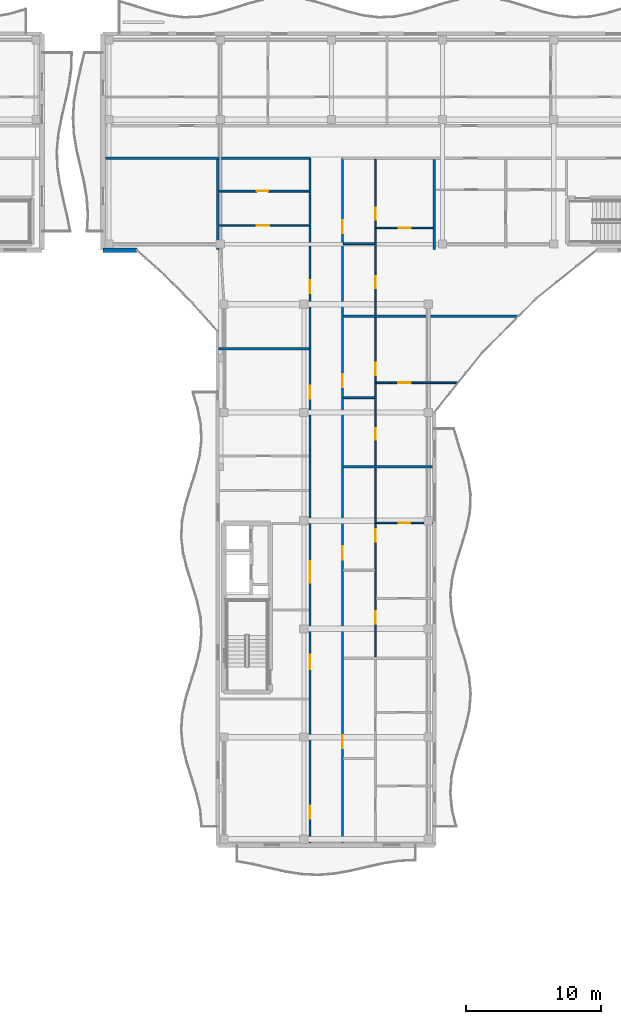
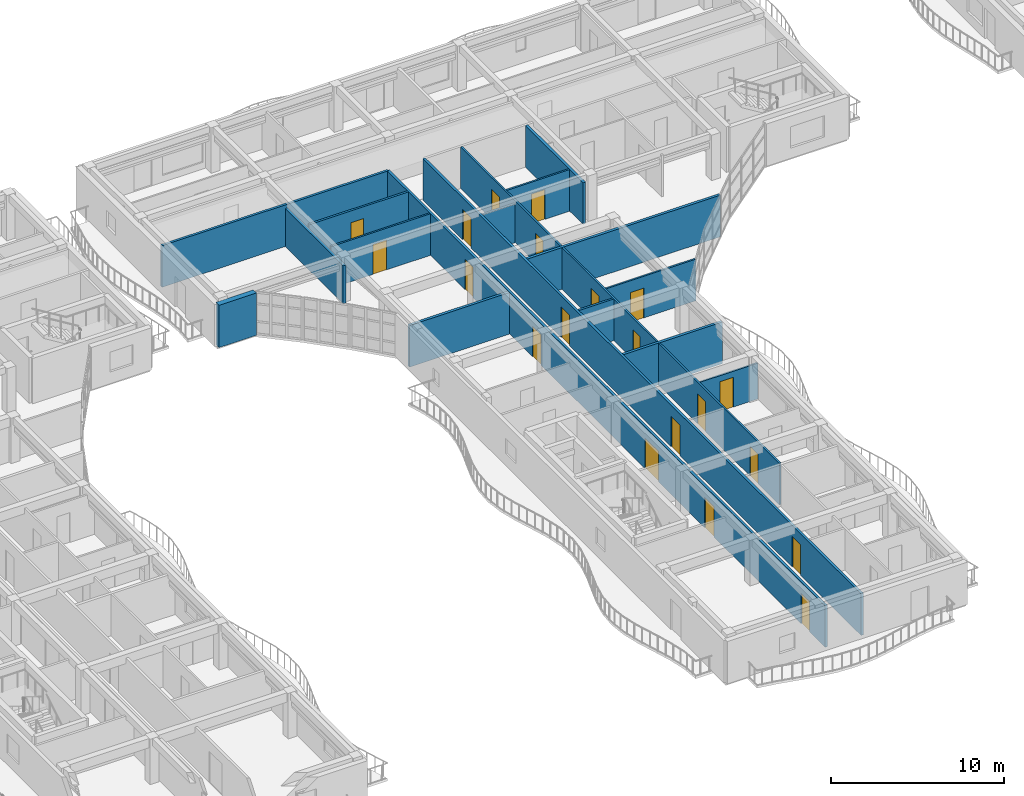
# One storey, part 42 of 79: 20 doors, 19 walls, 20 openings.
"""IFC4 building model written with IfcOpenShell, lengths in metres."""

from ifc_helpers import new_model, si_unit, direction, frame, frame_2d, origin, place, context, subcontext, project, spatial, rectangle, extrude, material, layer, layer_set, type_object, element, fill, save


model = new_model("IFC4")

# Units and contexts
model_context = context("Model", 3, precision=1e-05, world=origin(), true_north=direction((0.0, 1.0)))
body_context = subcontext(model_context, "Body", "Model", "MODEL_VIEW")
ifc_project = project(units=[si_unit("LENGTHUNIT", "METRE"), si_unit("AREAUNIT", "SQUARE_METRE"), si_unit("VOLUMEUNIT", "CUBIC_METRE"), si_unit("PLANEANGLEUNIT", "RADIAN"), si_unit("MASSUNIT", "GRAM", prefix="KILO")], contexts=[model_context])

# Site, building, storey
site_placement = place(None, origin())
site = spatial("IfcSite", under=ifc_project, at=site_placement, CompositionType="ELEMENT")
building_placement = place(site_placement, origin())
building = spatial("IfcBuilding", under=site, at=building_placement, Name="Keldmere Railside Commons", CompositionType="ELEMENT")
storey_placement = place(building_placement, frame((0.0, 0.0, 10.56005859375)))
storey = spatial("IfcBuildingStorey", under=building, at=storey_placement, Name="L03", CompositionType="ELEMENT", Elevation=10.56005859375)

# Walls
ifc_material_1 = material(Name="Acoustic Gypsum Board Partition", Category="gypsum")
ifc_layer_1 = layer(ifc_material_1, 0.179931640625, Name="Acoustic Demising Partition 180")
ifc_layer_set_1 = layer_set([ifc_layer_1], Name="Acoustic Gypsum Board Partition")
wall_type_1 = type_object("IfcWallType", Name="Acoustic Demising Partition 180", PredefinedType="PARTITIONING", material=ifc_layer_set_1)
wall_1_placement = place(storey_placement, frame((64.0, 100.050048828125, 0.0), z_axis=(0.0, 0.0, 1.0), x_axis=(0.0, 1.0, 0.0)))
element("IfcWall", 1, at=wall_1_placement, inside=storey, type_object=wall_type_1, Name="IW-1 IW-L03-0600", PredefinedType="PARTITIONING", context=body_context, shape_type="SweptSolid", body=[
    extrude(rectangle(XDim=6.669921875, YDim=0.179931640625, at=frame_2d((3.3349609375, 0.0))), origin(), (0.0, 0.0, 1.0), 2.93505859375),
])
wall_2_placement = place(storey_placement, frame((48.0, 100.050048828125, 0.0), z_axis=(0.0, 0.0, 1.0), x_axis=(0.0, 1.0, 0.0)))
element("IfcWall", 2, at=wall_2_placement, inside=storey, type_object=wall_type_1, Name="IW-1 IW-L03-0601", PredefinedType="PARTITIONING", context=body_context, shape_type="SweptSolid", body=[
    extrude(rectangle(XDim=6.669921875, YDim=0.179931640625, at=frame_2d((3.3349609375, 0.0))), origin(), (0.0, 0.0, 1.0), 2.679931640625),
])
wall_3_placement = place(storey_placement, frame((57.280029296875, 83.97998046875, 0.0), z_axis=(0.0, 0.0, 1.0), x_axis=(1.0, 0.0, 0.0)))
element("IfcWall", 3, at=wall_3_placement, inside=storey, type_object=wall_type_1, Name="IW-1 IW-L03-0605", PredefinedType="PARTITIONING", context=body_context, shape_type="SweptSolid", body=[
    extrude(rectangle(XDim=6.590087890625, YDim=0.179931640625, at=frame_2d((3.294921875, 0.0))), origin(), (0.0, 0.0, 1.0), 2.93505859375),
])
wall_4_placement = place(storey_placement, frame((57.280029296875, 95.10009765625, 0.0), z_axis=(0.0, 0.0, 1.0), x_axis=(1.0, 0.0, 0.0)))
element("IfcWall", 4, at=wall_4_placement, inside=storey, type_object=wall_type_1, Name="IW-1 IW-L03-0606", PredefinedType="PARTITIONING", context=body_context, shape_type="SweptSolid", body=[
    extrude(rectangle(XDim=12.887451171875, YDim=0.179931640625, at=frame_2d((6.44384765625, 0.0))), origin(), (0.0, 0.0, 1.0), 2.93505859375),
])
wall_5_placement = place(storey_placement, frame((48.0400390625, 92.699951171875, 0.0), z_axis=(0.0, 0.0, 1.0), x_axis=(1.0, 0.0, 0.0)))
element("IfcWall", 5, at=wall_5_placement, inside=storey, type_object=wall_type_1, Name="IW-1 IW-L03-0631", PredefinedType="PARTITIONING", context=body_context, shape_type="SweptSolid", body=[
    extrude(rectangle(XDim=6.679931640625, YDim=0.179931640625, at=frame_2d((3.33984375, 0.0))), origin(), (0.0, 0.0, 1.0), 2.93505859375),
])

# Wall, openings, doors
ifc_layer_2 = layer(ifc_material_1, 0.1201171875, Name="Apartment Interior Partition 120")
ifc_layer_set_2 = layer_set([ifc_layer_2], Name="Acoustic Gypsum Board Partition")
wall_type_2 = type_object("IfcWallType", Name="Apartment Interior Partition 120", PredefinedType="PARTITIONING", material=ifc_layer_set_2)
wall_6_placement = place(storey_placement, frame((59.659912109375, 69.919921875, 0.0), z_axis=(0.0, 0.0, 1.0), x_axis=(0.0, 1.0, 0.0)))
wall_6 = element("IfcWall", 6, at=wall_6_placement, inside=storey, type_object=wall_type_2, Name="IW-4 IW-L03-0611", PredefinedType="PARTITIONING", context=body_context, shape_type="SweptSolid", body=[
    extrude(rectangle(XDim=13.969970703125, YDim=0.1201171875, at=frame_2d((6.98486328125, 0.0))), origin(), (0.0, 0.0, 1.0), 2.93505859375),
])
opening_1_placement = place(wall_6_placement, frame((2.443359375, 0.0, 0.0)))
opening_1 = element("IfcOpeningElement", 7, at=opening_1_placement, cuts=wall_6, Name="Opening ID-05", PredefinedType="OPENING", context=body_context, shape_type="SweptSolid", body=[
    extrude(rectangle(XDim=0.93994140625, YDim=2.10009765625, at=frame_2d((0.469970703125, 1.050048828125))), frame((0.0, 0.070068359375, 0.0), z_axis=(0.0, -1.0, 0.0), x_axis=(1.0, 0.0, 0.0)), (0.0, 0.0, 1.0), 0.14013671875),
])
opening_2_placement = place(wall_6_placement, frame((8.541259765625, 0.0, 0.0)))
opening_2 = element("IfcOpeningElement", 8, at=opening_2_placement, cuts=wall_6, Name="Opening ID-03", PredefinedType="OPENING", context=body_context, shape_type="SweptSolid", body=[
    extrude(rectangle(XDim=0.919921875, YDim=2.10009765625, at=frame_2d((0.4599609375, 1.050048828125))), frame((0.0, 0.070068359375, 0.0), z_axis=(0.0, -1.0, 0.0), x_axis=(1.0, 0.0, 0.0)), (0.0, 0.0, 1.0), 0.14013671875),
])
ifc_material_2 = material(Name="Engineered Oak Timber", Category="wood")
door_type_1 = type_object("IfcDoorType", Name="Accessible Bathroom Door 940x2100", OperationType="NOTDEFINED", PredefinedType="DOOR", material=ifc_material_2)
door_1_placement = place(opening_1_placement, origin())
door_1 = element("IfcDoor", 9, at=door_1_placement, inside=storey, type_object=door_type_1, Name="ID-05 IDR-L03-0497", OperationType="SINGLE_SWING_LEFT", OverallHeight=2.10009765625, OverallWidth=0.93994140625, PredefinedType="DOOR", context=body_context, shape_type="SweptSolid", body=[
    extrude(rectangle(XDim=0.93994140625, YDim=2.10009765625, at=frame_2d((0.469970703125, 1.050048828125))), frame((0.0, 0.02490234375, 0.0), z_axis=(0.0, -1.0, 0.0), x_axis=(1.0, 0.0, 0.0)), (0.0, 0.0, 1.0), 0.050048828125),
])
fill(opening_1, door_1)
door_type_2 = type_object("IfcDoorType", Name="Kitchen Pocket-Frame Swing Door 920x2100", OperationType="NOTDEFINED", PredefinedType="DOOR", material=ifc_material_2)
door_2_placement = place(opening_2_placement, origin())
door_2 = element("IfcDoor", 10, at=door_2_placement, inside=storey, type_object=door_type_2, Name="ID-03 IDR-L03-0498", OperationType="SINGLE_SWING_RIGHT", OverallHeight=2.10009765625, OverallWidth=0.919921875, PredefinedType="DOOR", context=body_context, shape_type="SweptSolid", body=[
    extrude(rectangle(XDim=0.919921875, YDim=2.10009765625, at=frame_2d((0.4599609375, 1.050048828125))), frame((0.0, 0.02490234375, 0.0), z_axis=(0.0, -1.0, 0.0), x_axis=(1.0, 0.0, 0.0)), (0.0, 0.0, 1.0), 0.050048828125),
])
fill(opening_2, door_2)

# Wall, opening, door
wall_7_placement = place(storey_placement, frame((59.719970703125, 79.840087890625, 0.0), z_axis=(0.0, 0.0, 1.0), x_axis=(1.0, 0.0, 0.0)))
wall_7 = element("IfcWall", 11, at=wall_7_placement, inside=storey, type_object=wall_type_2, Name="IW-4 IW-L03-0614", PredefinedType="PARTITIONING", context=body_context, shape_type="SweptSolid", body=[
    extrude(rectangle(XDim=4.150146484375, YDim=0.1201171875, at=frame_2d((2.0751953125, 0.0))), origin(), (0.0, 0.0, 1.0), 2.530029296875),
])
opening_3_placement = place(wall_7_placement, frame((1.635009765625, 0.0, 0.0)))
opening_3 = element("IfcOpeningElement", 12, at=opening_3_placement, cuts=wall_7, Name="Opening ID-02", PredefinedType="OPENING", context=body_context, shape_type="SweptSolid", body=[
    extrude(rectangle(XDim=0.8798828125, YDim=2.10009765625, at=frame_2d((0.43994140625, 1.050048828125))), frame((0.0, 0.070068359375, 0.0), z_axis=(0.0, -1.0, 0.0), x_axis=(1.0, 0.0, 0.0)), (0.0, 0.0, 1.0), 0.14013671875),
])
door_type_3 = type_object("IfcDoorType", Name="Secondary Bedroom Door 880x2100", OperationType="NOTDEFINED", PredefinedType="DOOR", material=ifc_material_2)
door_3_placement = place(opening_3_placement, origin())
door_3 = element("IfcDoor", 13, at=door_3_placement, inside=storey, type_object=door_type_3, Name="ID-02 IDR-L03-0501", OperationType="SINGLE_SWING_LEFT", OverallHeight=2.10009765625, OverallWidth=0.8798828125, PredefinedType="DOOR", context=body_context, shape_type="SweptSolid", body=[
    extrude(rectangle(XDim=0.8798828125, YDim=2.10009765625, at=frame_2d((0.43994140625, 1.050048828125))), frame((0.0, 0.02490234375, 0.0), z_axis=(0.0, -1.0, 0.0), x_axis=(1.0, 0.0, 0.0)), (0.0, 0.0, 1.0), 0.050048828125),
])
fill(opening_3, door_3)

# Wall, openings, doors
wall_8_placement = place(storey_placement, frame((59.659912109375, 84.070068359375, 0.0), z_axis=(0.0, 0.0, 1.0), x_axis=(0.0, 1.0, 0.0)))
wall_8 = element("IfcWall", 14, at=wall_8_placement, inside=storey, type_object=wall_type_2, Name="IW-4 IW-L03-0615", PredefinedType="PARTITIONING", context=body_context, shape_type="SweptSolid", body=[
    extrude(rectangle(XDim=10.93994140625, YDim=0.1201171875, at=frame_2d((5.469970703125, 0.0))), origin(), (0.0, 0.0, 1.0), 2.93505859375),
])
opening_4_placement = place(wall_8_placement, frame((1.911376953125, 0.0, 0.0)))
opening_4 = element("IfcOpeningElement", 15, at=opening_4_placement, cuts=wall_8, Name="Opening ID-04", PredefinedType="OPENING", context=body_context, shape_type="SweptSolid", body=[
    extrude(rectangle(XDim=0.860107421875, YDim=2.10009765625, at=frame_2d((0.43017578125, 1.050048828125))), frame((0.0, 0.070068359375, 0.0), z_axis=(0.0, -1.0, 0.0), x_axis=(1.0, 0.0, 0.0)), (0.0, 0.0, 1.0), 0.14013671875),
])
opening_5_placement = place(wall_8_placement, frame((6.684814453125, 0.0, 0.0)))
opening_5 = element("IfcOpeningElement", 16, at=opening_5_placement, cuts=wall_8, Name="Opening ID-03", PredefinedType="OPENING", context=body_context, shape_type="SweptSolid", body=[
    extrude(rectangle(XDim=0.919921875, YDim=2.10009765625, at=frame_2d((0.4599609375, 1.050048828125))), frame((0.0, 0.070068359375, 0.0), z_axis=(0.0, -1.0, 0.0), x_axis=(1.0, 0.0, 0.0)), (0.0, 0.0, 1.0), 0.14013671875),
])
door_type_4 = type_object("IfcDoorType", Name="Apartment Bathroom Door 860x2100", OperationType="NOTDEFINED", PredefinedType="DOOR", material=ifc_material_2)
door_4_placement = place(opening_4_placement, origin())
door_4 = element("IfcDoor", 17, at=door_4_placement, inside=storey, type_object=door_type_4, Name="ID-04 IDR-L03-0502", OperationType="SINGLE_SWING_RIGHT", OverallHeight=2.10009765625, OverallWidth=0.860107421875, PredefinedType="DOOR", context=body_context, shape_type="SweptSolid", body=[
    extrude(rectangle(XDim=0.860107421875, YDim=2.10009765625, at=frame_2d((0.43017578125, 1.050048828125))), frame((0.0, 0.02490234375, 0.0), z_axis=(0.0, -1.0, 0.0), x_axis=(1.0, 0.0, 0.0)), (0.0, 0.0, 1.0), 0.050048828125),
])
fill(opening_4, door_4)
door_5_placement = place(opening_5_placement, origin())
door_5 = element("IfcDoor", 18, at=door_5_placement, inside=storey, type_object=door_type_2, Name="ID-03 IDR-L03-0503", OperationType="SINGLE_SWING_LEFT", OverallHeight=2.10009765625, OverallWidth=0.919921875, PredefinedType="DOOR", context=body_context, shape_type="SweptSolid", body=[
    extrude(rectangle(XDim=0.919921875, YDim=2.10009765625, at=frame_2d((0.4599609375, 1.050048828125))), frame((0.0, 0.02490234375, 0.0), z_axis=(0.0, -1.0, 0.0), x_axis=(1.0, 0.0, 0.0)), (0.0, 0.0, 1.0), 0.050048828125),
])
fill(opening_5, door_5)

# Wall, opening, door
wall_9_placement = place(storey_placement, frame((59.719970703125, 90.199951171875, 0.0), z_axis=(0.0, 0.0, 1.0), x_axis=(1.0, 0.0, 0.0)))
wall_9 = element("IfcWall", 19, at=wall_9_placement, inside=storey, type_object=wall_type_2, Name="IW-4 IW-L03-0617", PredefinedType="PARTITIONING", context=body_context, shape_type="SweptSolid", body=[
    extrude(rectangle(XDim=5.99365234375, YDim=0.1201171875, at=frame_2d((2.996826171875, 0.0))), origin(), (0.0, 0.0, 1.0), 2.93505859375),
])
opening_6_placement = place(wall_9_placement, frame((1.625, 0.0, 0.0)))
opening_6 = element("IfcOpeningElement", 20, at=opening_6_placement, cuts=wall_9, Name="Opening ID-01", PredefinedType="OPENING", context=body_context, shape_type="SweptSolid", body=[
    extrude(rectangle(XDim=0.89990234375, YDim=2.10009765625, at=frame_2d((0.449951171875, 1.050048828125))), frame((0.0, 0.070068359375, 0.0), z_axis=(0.0, -1.0, 0.0), x_axis=(1.0, 0.0, 0.0)), (0.0, 0.0, 1.0), 0.14013671875),
])
door_type_5 = type_object("IfcDoorType", Name="Primary Bedroom Door 900x2100", OperationType="NOTDEFINED", PredefinedType="DOOR", material=ifc_material_2)
door_6_placement = place(opening_6_placement, origin())
door_6 = element("IfcDoor", 21, at=door_6_placement, inside=storey, type_object=door_type_5, Name="ID-01 IDR-L03-0505", OperationType="SINGLE_SWING_LEFT", OverallHeight=2.10009765625, OverallWidth=0.89990234375, PredefinedType="DOOR", context=body_context, shape_type="SweptSolid", body=[
    extrude(rectangle(XDim=0.89990234375, YDim=2.10009765625, at=frame_2d((0.449951171875, 1.050048828125))), frame((0.0, 0.02490234375, 0.0), z_axis=(0.0, -1.0, 0.0), x_axis=(1.0, 0.0, 0.0)), (0.0, 0.0, 1.0), 0.050048828125),
])
fill(opening_6, door_6)

# Wall, openings, doors
wall_10_placement = place(storey_placement, frame((59.659912109375, 95.18994140625, 0.0), z_axis=(0.0, 0.0, 1.0), x_axis=(0.0, 1.0, 0.0)))
wall_10 = element("IfcWall", 22, at=wall_10_placement, inside=storey, type_object=wall_type_2, Name="IW-4 IW-L03-0618", PredefinedType="PARTITIONING", context=body_context, shape_type="SweptSolid", body=[
    extrude(rectangle(XDim=11.530029296875, YDim=0.1201171875, at=frame_2d((5.76513671875, 0.0))), origin(), (0.0, 0.0, 1.0), 2.93505859375),
])
opening_7_placement = place(wall_10_placement, frame((2.013916015625, 0.0, 0.0)))
opening_7 = element("IfcOpeningElement", 23, at=opening_7_placement, cuts=wall_10, Name="Opening ID-04", PredefinedType="OPENING", context=body_context, shape_type="SweptSolid", body=[
    extrude(rectangle(XDim=0.860107421875, YDim=2.10009765625, at=frame_2d((0.43017578125, 1.050048828125))), frame((0.0, 0.070068359375, 0.0), z_axis=(0.0, -1.0, 0.0), x_axis=(1.0, 0.0, 0.0)), (0.0, 0.0, 1.0), 0.14013671875),
])
opening_8_placement = place(wall_10_placement, frame((7.04443359375, 0.0, 0.0)))
opening_8 = element("IfcOpeningElement", 24, at=opening_8_placement, cuts=wall_10, Name="Opening ID-03", PredefinedType="OPENING", context=body_context, shape_type="SweptSolid", body=[
    extrude(rectangle(XDim=0.919921875, YDim=2.10009765625, at=frame_2d((0.4599609375, 1.050048828125))), frame((0.0, 0.070068359375, 0.0), z_axis=(0.0, -1.0, 0.0), x_axis=(1.0, 0.0, 0.0)), (0.0, 0.0, 1.0), 0.14013671875),
])
door_7_placement = place(opening_7_placement, origin())
door_7 = element("IfcDoor", 25, at=door_7_placement, inside=storey, type_object=door_type_4, Name="ID-04 IDR-L03-0506", OperationType="SINGLE_SWING_RIGHT", OverallHeight=2.10009765625, OverallWidth=0.860107421875, PredefinedType="DOOR", context=body_context, shape_type="SweptSolid", body=[
    extrude(rectangle(XDim=0.860107421875, YDim=2.10009765625, at=frame_2d((0.43017578125, 1.050048828125))), frame((0.0, 0.02490234375, 0.0), z_axis=(0.0, -1.0, 0.0), x_axis=(1.0, 0.0, 0.0)), (0.0, 0.0, 1.0), 0.050048828125),
])
fill(opening_7, door_7)
door_8_placement = place(opening_8_placement, origin())
door_8 = element("IfcDoor", 26, at=door_8_placement, inside=storey, type_object=door_type_2, Name="ID-03 IDR-L03-0507", OperationType="SINGLE_SWING_LEFT", OverallHeight=2.10009765625, OverallWidth=0.919921875, PredefinedType="DOOR", context=body_context, shape_type="SweptSolid", body=[
    extrude(rectangle(XDim=0.919921875, YDim=2.10009765625, at=frame_2d((0.4599609375, 1.050048828125))), frame((0.0, 0.02490234375, 0.0), z_axis=(0.0, -1.0, 0.0), x_axis=(1.0, 0.0, 0.0)), (0.0, 0.0, 1.0), 0.050048828125),
])
fill(opening_8, door_8)

# Wall, opening, door
wall_11_placement = place(storey_placement, frame((59.719970703125, 101.64990234375, 0.0), z_axis=(0.0, 0.0, 1.0), x_axis=(1.0, 0.0, 0.0)))
wall_11 = element("IfcWall", 27, at=wall_11_placement, inside=storey, type_object=wall_type_2, Name="IW-4 IW-L03-0620", PredefinedType="PARTITIONING", context=body_context, shape_type="SweptSolid", body=[
    extrude(rectangle(XDim=4.18994140625, YDim=0.1201171875, at=frame_2d((2.094970703125, 0.0))), origin(), (0.0, 0.0, 1.0), 2.93505859375),
])
opening_9_placement = place(wall_11_placement, frame((1.64501953125, 0.0, 0.0)))
opening_9 = element("IfcOpeningElement", 28, at=opening_9_placement, cuts=wall_11, Name="Opening ID-01", PredefinedType="OPENING", context=body_context, shape_type="SweptSolid", body=[
    extrude(rectangle(XDim=0.89990234375, YDim=2.10009765625, at=frame_2d((0.449951171875, 1.050048828125))), frame((0.0, 0.070068359375, 0.0), z_axis=(0.0, -1.0, 0.0), x_axis=(1.0, 0.0, 0.0)), (0.0, 0.0, 1.0), 0.14013671875),
])
door_9_placement = place(opening_9_placement, origin())
door_9 = element("IfcDoor", 29, at=door_9_placement, inside=storey, type_object=door_type_5, Name="ID-01 IDR-L03-0509", OperationType="SINGLE_SWING_LEFT", OverallHeight=2.10009765625, OverallWidth=0.89990234375, PredefinedType="DOOR", context=body_context, shape_type="SweptSolid", body=[
    extrude(rectangle(XDim=0.89990234375, YDim=2.10009765625, at=frame_2d((0.449951171875, 1.050048828125))), frame((0.0, 0.02490234375, 0.0), z_axis=(0.0, -1.0, 0.0), x_axis=(1.0, 0.0, 0.0)), (0.0, 0.0, 1.0), 0.050048828125),
])
fill(opening_9, door_9)

wall_12_placement = place(storey_placement, frame((48.090087890625, 101.820068359375, 0.0), z_axis=(0.0, 0.0, 1.0), x_axis=(1.0, 0.0, 0.0)))
wall_12 = element("IfcWall", 30, at=wall_12_placement, inside=storey, type_object=wall_type_2, Name="IW-4 IW-L03-0634", PredefinedType="PARTITIONING", context=body_context, shape_type="SweptSolid", body=[
    extrude(rectangle(XDim=6.6298828125, YDim=0.1201171875, at=frame_2d((3.31494140625, 0.0))), origin(), (0.0, 0.0, 1.0), 2.93505859375),
])
opening_10_placement = place(wall_12_placement, frame((2.78466796875, 0.0, 0.0)))
opening_10 = element("IfcOpeningElement", 31, at=opening_10_placement, cuts=wall_12, Name="Opening ID-03", PredefinedType="OPENING", context=body_context, shape_type="SweptSolid", body=[
    extrude(rectangle(XDim=0.919921875, YDim=2.10009765625, at=frame_2d((0.4599609375, 1.050048828125))), frame((0.0, 0.070068359375, 0.0), z_axis=(0.0, -1.0, 0.0), x_axis=(1.0, 0.0, 0.0)), (0.0, 0.0, 1.0), 0.14013671875),
])
door_10_placement = place(opening_10_placement, origin())
door_10 = element("IfcDoor", 32, at=door_10_placement, inside=storey, type_object=door_type_2, Name="ID-03 IDR-L03-0529", OperationType="SINGLE_SWING_LEFT", OverallHeight=2.10009765625, OverallWidth=0.919921875, PredefinedType="DOOR", context=body_context, shape_type="SweptSolid", body=[
    extrude(rectangle(XDim=0.919921875, YDim=2.10009765625, at=frame_2d((0.4599609375, 1.050048828125))), frame((0.0, 0.02490234375, 0.0), z_axis=(0.0, -1.0, 0.0), x_axis=(1.0, 0.0, 0.0)), (0.0, 0.0, 1.0), 0.050048828125),
])
fill(opening_10, door_10)

# Wall, openings, doors
ifc_layer_3 = layer(ifc_material_1, 0.159912109375, Name="Corridor Fire Partition 160")
ifc_layer_set_3 = layer_set([ifc_layer_3], Name="Acoustic Gypsum Board Partition")
wall_type_3 = type_object("IfcWallType", Name="Corridor Fire Partition 160", PredefinedType="PARTITIONING", material=ifc_layer_set_3)
wall_13_placement = place(storey_placement, frame((54.800048828125, 56.179931640625, 0.0), z_axis=(0.0, 0.0, 1.0), x_axis=(0.0, 1.0, 0.0)))
wall_13 = element("IfcWall", 33, at=wall_13_placement, inside=storey, type_object=wall_type_3, Name="IW-2 IW-L03-0595", PredefinedType="PARTITIONING", context=body_context, shape_type="SweptSolid", body=[
    extrude(rectangle(XDim=50.6201171875, YDim=0.159912109375, at=frame_2d((25.31005859375, 0.0))), origin(), (0.0, 0.0, 1.0), 2.93505859375),
])
opening_11_placement = place(wall_13_placement, frame((12.820068359375, 0.0, 0.0)))
opening_11 = element("IfcOpeningElement", 34, at=opening_11_placement, cuts=wall_13, Name="Opening FD-2", PredefinedType="OPENING", context=body_context, shape_type="SweptSolid", body=[
    extrude(rectangle(XDim=1.10009765625, YDim=2.14990234375, at=frame_2d((0.550048828125, 1.074951171875))), frame((0.0, 0.08984375, 0.0), z_axis=(0.0, -1.0, 0.0), x_axis=(1.0, 0.0, 0.0)), (0.0, 0.0, 1.0), 0.179931640625),
])
opening_12_placement = place(wall_13_placement, frame((19.219970703125, 0.0, 0.0)))
opening_12 = element("IfcOpeningElement", 35, at=opening_12_placement, cuts=wall_13, Name="Opening FD-4", PredefinedType="OPENING", context=body_context, shape_type="SweptSolid", body=[
    extrude(rectangle(XDim=1.60009765625, YDim=2.14990234375, at=frame_2d((0.800048828125, 1.074951171875))), frame((0.0, 0.08984375, 0.0), z_axis=(0.0, -1.0, 0.0), x_axis=(1.0, 0.0, 0.0)), (0.0, 0.0, 1.0), 0.179931640625),
])
opening_13_placement = place(wall_13_placement, frame((1.800048828125, 0.0, 0.0)))
opening_13 = element("IfcOpeningElement", 36, at=opening_13_placement, cuts=wall_13, Name="Opening ID-08", PredefinedType="OPENING", context=body_context, shape_type="SweptSolid", body=[
    extrude(rectangle(XDim=0.9599609375, YDim=2.14990234375, at=frame_2d((0.47998046875, 1.074951171875))), frame((0.0, 0.08984375, 0.0), z_axis=(0.0, -1.0, 0.0), x_axis=(1.0, 0.0, 0.0)), (0.0, 0.0, 1.0), 0.179931640625),
])
opening_14_placement = place(wall_13_placement, frame((32.824951171875, 0.0, 0.0)))
opening_14 = element("IfcOpeningElement", 37, at=opening_14_placement, cuts=wall_13, Name="Opening FD-7", PredefinedType="OPENING", context=body_context, shape_type="SweptSolid", body=[
    extrude(rectangle(XDim=0.97998046875, YDim=2.14990234375, at=frame_2d((0.489990234375, 1.074951171875))), frame((0.0, 0.08984375, 0.0), z_axis=(0.0, -1.0, 0.0), x_axis=(1.0, 0.0, 0.0)), (0.0, 0.0, 1.0), 0.179931640625),
])
opening_15_placement = place(wall_13_placement, frame((40.635009765625, 0.0, 0.0)))
opening_15 = element("IfcOpeningElement", 38, at=opening_15_placement, cuts=wall_13, Name="Opening FD-7", PredefinedType="OPENING", context=body_context, shape_type="SweptSolid", body=[
    extrude(rectangle(XDim=0.97998046875, YDim=2.14990234375, at=frame_2d((0.489990234375, 1.074951171875))), frame((0.0, 0.08984375, 0.0), z_axis=(0.0, -1.0, 0.0), x_axis=(1.0, 0.0, 0.0)), (0.0, 0.0, 1.0), 0.179931640625),
])
door_type_6 = type_object("IfcDoorType", Name="Apartment Entrance Acoustic Fire Door 980x2150", OperationType="NOTDEFINED", PredefinedType="DOOR", material=ifc_material_2)
door_11_placement = place(opening_14_placement, origin())
door_11 = element("IfcDoor", 39, at=door_11_placement, inside=storey, type_object=door_type_6, Name="FD-7 IDR-L03-0527", OperationType="SINGLE_SWING_LEFT", OverallHeight=2.14990234375, OverallWidth=0.97998046875, PredefinedType="DOOR", context=body_context, shape_type="SweptSolid", body=[
    extrude(rectangle(XDim=0.97998046875, YDim=2.14990234375, at=frame_2d((0.489990234375, 1.074951171875))), frame((0.0, 0.02490234375, 0.0), z_axis=(0.0, -1.0, 0.0), x_axis=(1.0, 0.0, 0.0)), (0.0, 0.0, 1.0), 0.050048828125),
])
fill(opening_14, door_11)
door_12_placement = place(opening_15_placement, origin())
door_12 = element("IfcDoor", 40, at=door_12_placement, inside=storey, type_object=door_type_6, Name="FD-7 IDR-L03-0530", OperationType="SINGLE_SWING_RIGHT", OverallHeight=2.14990234375, OverallWidth=0.97998046875, PredefinedType="DOOR", context=body_context, shape_type="SweptSolid", body=[
    extrude(rectangle(XDim=0.97998046875, YDim=2.14990234375, at=frame_2d((0.489990234375, 1.074951171875))), frame((0.0, 0.02490234375, 0.0), z_axis=(0.0, -1.0, 0.0), x_axis=(1.0, 0.0, 0.0)), (0.0, 0.0, 1.0), 0.050048828125),
])
fill(opening_15, door_12)
ifc_material_3 = material(Name="Steel F-24 (S235)", Category="steel")
door_type_7 = type_object("IfcDoorType", Name="Corridor Cross-Compartment Double Fire Door 1600x2150", OperationType="DOUBLE_DOOR_SINGLE_SWING", PredefinedType="DOOR", material=ifc_material_3)
door_13_placement = place(opening_12_placement, origin())
door_13 = element("IfcDoor", 41, at=door_13_placement, inside=storey, type_object=door_type_7, Name="FD-4 IDR-L03-0491", OperationType="DOUBLE_DOOR_SINGLE_SWING", OverallHeight=2.14990234375, OverallWidth=1.60009765625, PredefinedType="DOOR", context=body_context, shape_type="SweptSolid", body=[
    extrude(rectangle(XDim=1.60009765625, YDim=2.14990234375, at=frame_2d((0.800048828125, 1.074951171875))), frame((0.0, 0.02490234375, 0.0), z_axis=(0.0, -1.0, 0.0), x_axis=(1.0, 0.0, 0.0)), (0.0, 0.0, 1.0), 0.050048828125),
])
fill(opening_12, door_13)
door_type_8 = type_object("IfcDoorType", Name="Firefighting Lobby Fire Door 1100x2150", OperationType="NOTDEFINED", PredefinedType="DOOR", material=ifc_material_3)
door_14_placement = place(opening_11_placement, origin())
door_14 = element("IfcDoor", 42, at=door_14_placement, inside=storey, type_object=door_type_8, Name="FD-2 IDR-L03-0490", OperationType="SINGLE_SWING_RIGHT", OverallHeight=2.14990234375, OverallWidth=1.10009765625, PredefinedType="DOOR", context=body_context, shape_type="SweptSolid", body=[
    extrude(rectangle(XDim=1.10009765625, YDim=2.14990234375, at=frame_2d((0.550048828125, 1.074951171875))), frame((0.0, 0.02490234375, 0.0), z_axis=(0.0, -1.0, 0.0), x_axis=(1.0, 0.0, 0.0)), (0.0, 0.0, 1.0), 0.050048828125),
])
fill(opening_11, door_14)
door_type_9 = type_object("IfcDoorType", Name="Study & Meeting Room Door 960x2150", OperationType="NOTDEFINED", PredefinedType="DOOR", material=ifc_material_2)
door_15_placement = place(opening_13_placement, origin())
door_15 = element("IfcDoor", 43, at=door_15_placement, inside=storey, type_object=door_type_9, Name="ID-08 IDR-L03-0524", OperationType="SINGLE_SWING_RIGHT", OverallHeight=2.14990234375, OverallWidth=0.9599609375, PredefinedType="DOOR", context=body_context, shape_type="SweptSolid", body=[
    extrude(rectangle(XDim=0.9599609375, YDim=2.14990234375, at=frame_2d((0.47998046875, 1.074951171875))), frame((0.0, 0.02490234375, 0.0), z_axis=(0.0, -1.0, 0.0), x_axis=(1.0, 0.0, 0.0)), (0.0, 0.0, 1.0), 0.050048828125),
])
fill(opening_13, door_15)

wall_14_placement = place(storey_placement, frame((57.199951171875, 56.179931640625, 0.0), z_axis=(0.0, 0.0, 1.0), x_axis=(0.0, 1.0, 0.0)))
wall_14 = element("IfcWall", 44, at=wall_14_placement, inside=storey, type_object=wall_type_3, Name="IW-2 IW-L03-0596", PredefinedType="PARTITIONING", context=body_context, shape_type="SweptSolid", body=[
    extrude(rectangle(XDim=50.6201171875, YDim=0.159912109375, at=frame_2d((25.31005859375, 0.0))), origin(), (0.0, 0.0, 1.0), 2.93505859375),
])
opening_16_placement = place(wall_14_placement, frame((6.989990234375, 0.0, 0.0)))
opening_16 = element("IfcOpeningElement", 45, at=opening_16_placement, cuts=wall_14, Name="Opening FD-7", PredefinedType="OPENING", context=body_context, shape_type="SweptSolid", body=[
    extrude(rectangle(XDim=0.97998046875, YDim=2.14990234375, at=frame_2d((0.489990234375, 1.074951171875))), frame((0.0, 0.08984375, 0.0), z_axis=(0.0, -1.0, 0.0), x_axis=(1.0, 0.0, 0.0)), (0.0, 0.0, 1.0), 0.179931640625),
])
opening_17_placement = place(wall_14_placement, frame((20.919921875, 0.0, 0.0)))
opening_17 = element("IfcOpeningElement", 46, at=opening_17_placement, cuts=wall_14, Name="Opening FD-8", PredefinedType="OPENING", context=body_context, shape_type="SweptSolid", body=[
    extrude(rectangle(XDim=1.02001953125, YDim=2.14990234375, at=frame_2d((0.510009765625, 1.074951171875))), frame((0.0, 0.08984375, 0.0), z_axis=(0.0, -1.0, 0.0), x_axis=(1.0, 0.0, 0.0)), (0.0, 0.0, 1.0), 0.179931640625),
])
opening_18_placement = place(wall_14_placement, frame((33.669921875, 0.0, 0.0)))
opening_18 = element("IfcOpeningElement", 47, at=opening_18_placement, cuts=wall_14, Name="Opening FD-7", PredefinedType="OPENING", context=body_context, shape_type="SweptSolid", body=[
    extrude(rectangle(XDim=0.97998046875, YDim=2.14990234375, at=frame_2d((0.489990234375, 1.074951171875))), frame((0.0, 0.08984375, 0.0), z_axis=(0.0, -1.0, 0.0), x_axis=(1.0, 0.0, 0.0)), (0.0, 0.0, 1.0), 0.179931640625),
])
opening_19_placement = place(wall_14_placement, frame((45.06005859375, 0.0, 0.0)))
opening_19 = element("IfcOpeningElement", 48, at=opening_19_placement, cuts=wall_14, Name="Opening FD-7", PredefinedType="OPENING", context=body_context, shape_type="SweptSolid", body=[
    extrude(rectangle(XDim=0.97998046875, YDim=2.14990234375, at=frame_2d((0.489990234375, 1.074951171875))), frame((0.0, 0.08984375, 0.0), z_axis=(0.0, -1.0, 0.0), x_axis=(1.0, 0.0, 0.0)), (0.0, 0.0, 1.0), 0.179931640625),
])
door_type_10 = type_object("IfcDoorType", Name="Adaptable Apartment Entrance Fire Door 1020x2150", OperationType="NOTDEFINED", PredefinedType="DOOR", material=ifc_material_2)
door_16_placement = place(opening_17_placement, origin())
door_16 = element("IfcDoor", 49, at=door_16_placement, inside=storey, type_object=door_type_10, Name="FD-8 IDR-L03-0499", OperationType="SINGLE_SWING_LEFT", OverallHeight=2.14990234375, OverallWidth=1.02001953125, PredefinedType="DOOR", context=body_context, shape_type="SweptSolid", body=[
    extrude(rectangle(XDim=1.02001953125, YDim=2.14990234375, at=frame_2d((0.510009765625, 1.074951171875))), frame((0.0, 0.02490234375, 0.0), z_axis=(0.0, -1.0, 0.0), x_axis=(1.0, 0.0, 0.0)), (0.0, 0.0, 1.0), 0.050048828125),
])
fill(opening_17, door_16)
door_17_placement = place(opening_16_placement, origin())
door_17 = element("IfcDoor", 50, at=door_17_placement, inside=storey, type_object=door_type_6, Name="FD-7 IDR-L03-0494", OperationType="SINGLE_SWING_RIGHT", OverallHeight=2.14990234375, OverallWidth=0.97998046875, PredefinedType="DOOR", context=body_context, shape_type="SweptSolid", body=[
    extrude(rectangle(XDim=0.97998046875, YDim=2.14990234375, at=frame_2d((0.489990234375, 1.074951171875))), frame((0.0, 0.02490234375, 0.0), z_axis=(0.0, -1.0, 0.0), x_axis=(1.0, 0.0, 0.0)), (0.0, 0.0, 1.0), 0.050048828125),
])
fill(opening_16, door_17)
door_18_placement = place(opening_18_placement, origin())
door_18 = element("IfcDoor", 51, at=door_18_placement, inside=storey, type_object=door_type_6, Name="FD-7 IDR-L03-0504", OperationType="SINGLE_SWING_RIGHT", OverallHeight=2.14990234375, OverallWidth=0.97998046875, PredefinedType="DOOR", context=body_context, shape_type="SweptSolid", body=[
    extrude(rectangle(XDim=0.97998046875, YDim=2.14990234375, at=frame_2d((0.489990234375, 1.074951171875))), frame((0.0, 0.02490234375, 0.0), z_axis=(0.0, -1.0, 0.0), x_axis=(1.0, 0.0, 0.0)), (0.0, 0.0, 1.0), 0.050048828125),
])
fill(opening_18, door_18)
door_19_placement = place(opening_19_placement, origin())
door_19 = element("IfcDoor", 52, at=door_19_placement, inside=storey, type_object=door_type_6, Name="FD-7 IDR-L03-0508", OperationType="SINGLE_SWING_RIGHT", OverallHeight=2.14990234375, OverallWidth=0.97998046875, PredefinedType="DOOR", context=body_context, shape_type="SweptSolid", body=[
    extrude(rectangle(XDim=0.97998046875, YDim=2.14990234375, at=frame_2d((0.489990234375, 1.074951171875))), frame((0.0, 0.02490234375, 0.0), z_axis=(0.0, -1.0, 0.0), x_axis=(1.0, 0.0, 0.0)), (0.0, 0.0, 1.0), 0.050048828125),
])
fill(opening_19, door_19)

# Walls
wall_15_placement = place(storey_placement, frame((39.679931640625, 106.800048828125, 0.0), z_axis=(0.0, 0.0, 1.0), x_axis=(1.0, 0.0, 0.0)))
element("IfcWall", 53, at=wall_15_placement, inside=storey, type_object=wall_type_3, Name="IW-2 IW-L03-0597", PredefinedType="PARTITIONING", context=body_context, shape_type="SweptSolid", body=[
    extrude(rectangle(XDim=15.1201171875, YDim=0.159912109375, at=frame_2d((7.56005859375, 0.0))), origin(), (0.0, 0.0, 1.0), 2.93505859375),
])
ifc_material_4 = material(Name="Concrete H-35 (C35/45)", Category="concrete")
ifc_layer_4 = layer(ifc_material_4, 0.360107421875, Name="Exterior Shear Wall 360")
ifc_layer_set_4 = layer_set([ifc_layer_4], Name="Concrete H-35 (C35/45)")
wall_type_4 = type_object("IfcWallType", Name="Exterior Shear Wall 360", PredefinedType="SHEAR", material=ifc_layer_set_4)
wall_16_placement = place(storey_placement, frame((42.0, 100.0, 0.0), z_axis=(0.0, 0.0, 1.0), x_axis=(-1.0, 0.0, 0.0)))
element("IfcWall", 54, at=wall_16_placement, inside=storey, type_object=wall_type_4, Name="ESW-1 EXTC-L03-0350", PredefinedType="SHEAR", context=body_context, shape_type="SweptSolid", body=[
    extrude(rectangle(XDim=2.5, YDim=0.360107421875, at=frame_2d((1.25, 0.0))), origin(), (0.0, 0.0, 1.0), 2.97998046875),
])
ifc_layer_5 = layer(ifc_material_1, 0.139892578125, Name="Wet-Room Sanitary Partition 140")
ifc_layer_set_5 = layer_set([ifc_layer_5], Name="Acoustic Gypsum Board Partition")
wall_type_5 = type_object("IfcWallType", Name="Wet-Room Sanitary Partition 140", PredefinedType="PARTITIONING", material=ifc_layer_set_5)
wall_17_placement = place(storey_placement, frame((57.280029296875, 89.10009765625, 0.0), z_axis=(0.0, 0.0, 1.0), x_axis=(1.0, 0.0, 0.0)))
element("IfcWall", 55, at=wall_17_placement, inside=storey, type_object=wall_type_5, Name="IW-5 IW-L03-0616", PredefinedType="PARTITIONING", context=body_context, shape_type="SweptSolid", body=[
    extrude(rectangle(XDim=2.320068359375, YDim=0.139892578125, at=frame_2d((1.16015625, 0.0))), origin(), (0.0, 0.0, 1.0), 2.93505859375),
])
wall_18_placement = place(storey_placement, frame((57.280029296875, 100.489990234375, 0.0), z_axis=(0.0, 0.0, 1.0), x_axis=(1.0, 0.0, 0.0)))
element("IfcWall", 56, at=wall_18_placement, inside=storey, type_object=wall_type_5, Name="IW-5 IW-L03-0619", PredefinedType="PARTITIONING", context=body_context, shape_type="SweptSolid", body=[
    extrude(rectangle(XDim=2.320068359375, YDim=0.139892578125, at=frame_2d((1.16015625, 0.0))), origin(), (0.0, 0.0, 1.0), 2.72998046875),
])

# Wall, opening, door
wall_19_placement = place(storey_placement, frame((48.090087890625, 104.3701171875, 0.0), z_axis=(0.0, 0.0, 1.0), x_axis=(1.0, 0.0, 0.0)))
wall_19 = element("IfcWall", 57, at=wall_19_placement, inside=storey, type_object=wall_type_5, Name="IW-5 IW-L03-0635", PredefinedType="PARTITIONING", context=body_context, shape_type="SweptSolid", body=[
    extrude(rectangle(XDim=6.6298828125, YDim=0.139892578125, at=frame_2d((3.31494140625, 0.0))), origin(), (0.0, 0.0, 1.0), 2.93505859375),
])
opening_20_placement = place(wall_19_placement, frame((2.78466796875, 0.0, 0.0)))
opening_20 = element("IfcOpeningElement", 58, at=opening_20_placement, cuts=wall_19, Name="Opening ID-04", PredefinedType="OPENING", context=body_context, shape_type="SweptSolid", body=[
    extrude(rectangle(XDim=0.860107421875, YDim=2.10009765625, at=frame_2d((0.43017578125, 1.050048828125))), frame((0.0, 0.079833984375, 0.0), z_axis=(0.0, -1.0, 0.0), x_axis=(1.0, 0.0, 0.0)), (0.0, 0.0, 1.0), 0.159912109375),
])
door_20_placement = place(opening_20_placement, origin())
door_20 = element("IfcDoor", 59, at=door_20_placement, inside=storey, type_object=door_type_4, Name="ID-04 IDR-L03-0528", OperationType="SINGLE_SWING_RIGHT", OverallHeight=2.10009765625, OverallWidth=0.860107421875, PredefinedType="DOOR", context=body_context, shape_type="SweptSolid", body=[
    extrude(rectangle(XDim=0.860107421875, YDim=2.10009765625, at=frame_2d((0.43017578125, 1.050048828125))), frame((0.0, 0.02490234375, 0.0), z_axis=(0.0, -1.0, 0.0), x_axis=(1.0, 0.0, 0.0)), (0.0, 0.0, 1.0), 0.050048828125),
])
fill(opening_20, door_20)

save(model, "model.ifc")
